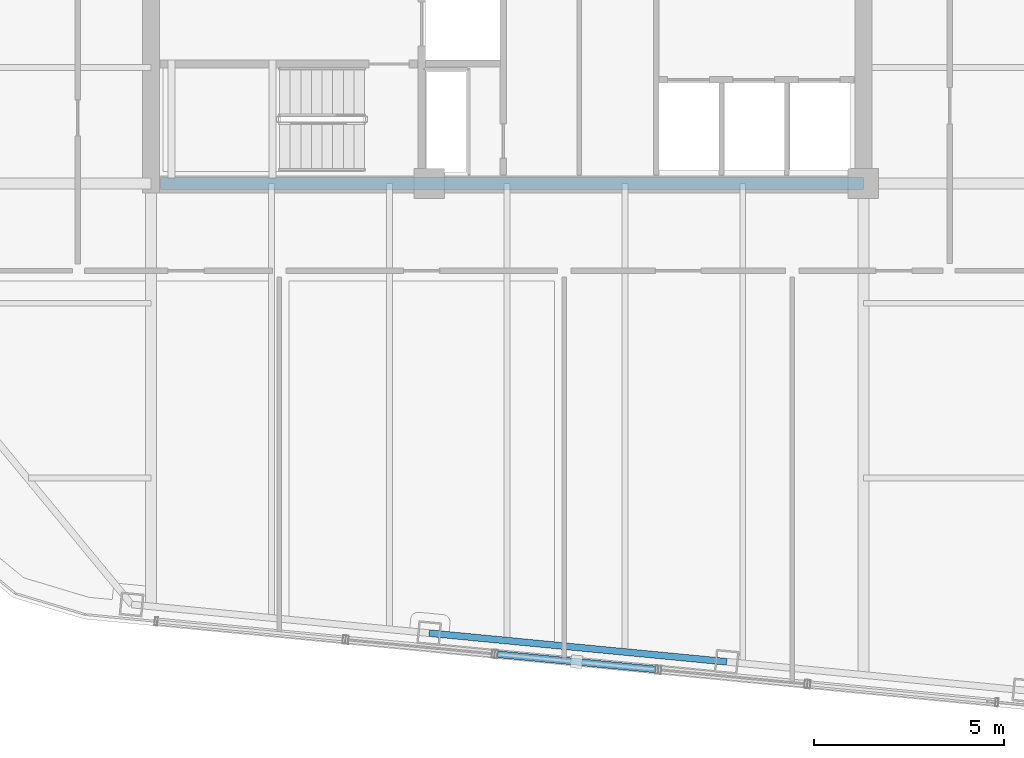
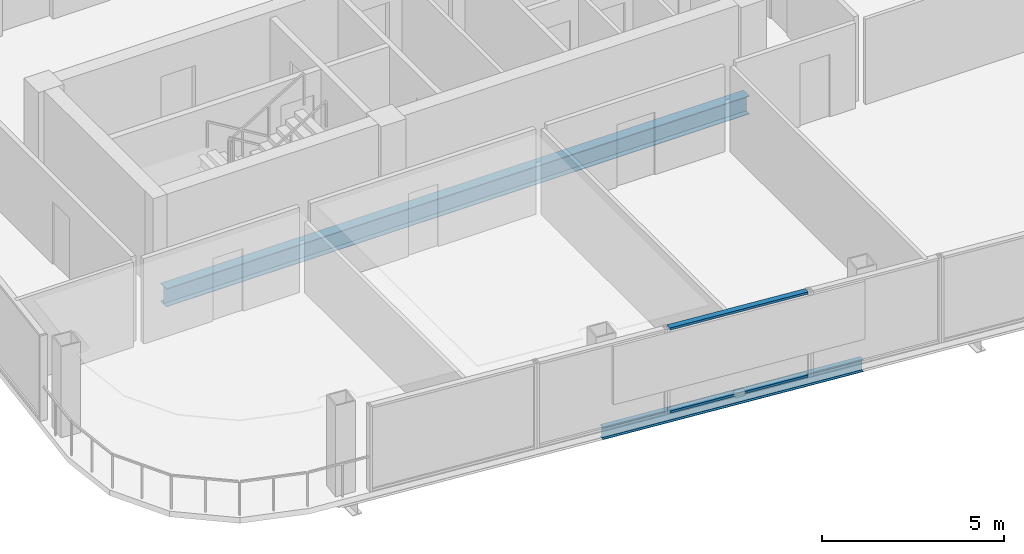
# One storey, part 4 of 23: 2 beams, 2 members, 1 element without a shape of its own.
"""IFC4 building model written with IfcOpenShell, lengths in metres."""

from ifc_helpers import new_model, si_unit, direction, frame, origin, origin_2d, place, context, subcontext, project, spatial, hollow_rectangle, i_section, extrude, material, layer, layer_set, material_profile, profile_set, type_object, element, aggregate, save


model = new_model("IFC4")

# Units and contexts
model_context = context("Model", 3, precision=1e-05, world=origin(), true_north=direction((0.0, 1.0)))
body_context = subcontext(model_context, "Body", "Model", "MODEL_VIEW")
ifc_project = project(units=[si_unit("LENGTHUNIT", "METRE"), si_unit("AREAUNIT", "SQUARE_METRE"), si_unit("VOLUMEUNIT", "CUBIC_METRE"), si_unit("PLANEANGLEUNIT", "RADIAN"), si_unit("MASSUNIT", "GRAM", prefix="KILO")], contexts=[model_context])

# Site, building, storey
site_placement = place(None, origin())
site = spatial("IfcSite", under=ifc_project, at=site_placement, CompositionType="ELEMENT")
building_placement = place(site_placement, origin())
building = spatial("IfcBuilding", under=site, at=building_placement, Name="Qhalaya Broadcast Tower", CompositionType="ELEMENT")
storey_placement = place(building_placement, frame((0.0, 0.0, 264.199951171875)))
storey = spatial("IfcBuildingStorey", under=building, at=storey_placement, Name="L78", CompositionType="ELEMENT", Elevation=264.199951171875)

# Beam
ifc_material_1 = material(Name="Structural Steel ASTM A992 Grade 50", Category="steel")
ifc_material_profile_1 = material_profile(ifc_material_1, i_section(OverallWidth=0.323974609375, OverallDepth=0.612060546875, WebThickness=0.0126953125, FlangeThickness=0.01904296875, at=origin_2d()), Name="W24X104")
ifc_profile_set_1 = profile_set([ifc_material_profile_1], Name="Structural Steel ASTM A992 Grade 50")
beam_type_1 = type_object("IfcBeamType", Name="Core Frame Tie Beam B04", PredefinedType="BEAM", material=ifc_profile_set_1)
beam_1_placement = place(storey_placement, frame((-9.1201171875, -8.75, -0.495849609375), z_axis=(1.0, 0.0, 0.0), x_axis=(0.0, 1.0, 0.0)))
element("IfcBeam", 1, at=beam_1_placement, inside=storey, type_object=beam_type_1, Name="L78 B04 L78-CCS3", PredefinedType="BEAM", context=body_context, shape_type="SweptSolid", body=[
    extrude(i_section(OverallWidth=0.323974609375, OverallDepth=0.612060546875, WebThickness=0.0126953125, FlangeThickness=0.01904296875, at=origin_2d()), origin(), (0.0, 0.0, 1.0), 18.4951171875),
])

# Curtain wall, members
ifc_material_2 = material(Name="Fired Architectural Terracotta", Category="masonry")
ifc_layer = layer(ifc_material_2, 0.219970703125, Name="Fired Architectural Terracotta")
ifc_layer_set = layer_set([ifc_layer], Name="Fired Architectural Terracotta")
curtain_wall_type = type_object("IfcCurtainWallType", Name="Block-Cap Unitised Terracotta Spandrel Wall CW-07", PredefinedType="NOTDEFINED", material=ifc_layer_set)
curtain_wall_placement = place(storey_placement, origin())
curtain_wall = element("IfcCurtainWall", 2, at=curtain_wall_placement, inside=storey, type_object=curtain_wall_type, Name="L78 Unitised Curtain Wall L78-CW-S3", PredefinedType="NOTDEFINED")
ifc_material_3 = material(Name="Anodised Aluminium 6063-T6", Category="aluminium")
ifc_material_profile_2 = material_profile(ifc_material_3, hollow_rectangle(XDim=0.074951171875, YDim=0.179931640625, WallThickness=0.00390625, at=origin_2d()), Name="ALU-TRN 75x180x4")
ifc_profile_set_2 = profile_set([ifc_material_profile_2], Name="Anodised Aluminium 6063-T6")
member_type = type_object("IfcMemberType", Name="Unitised Curtain-Wall Transom T01", PredefinedType="USERDEFINED", material=ifc_profile_set_2)
member_1_placement = place(storey_placement, frame((-0.251220703125, -21.1376953125, 0.03759765625), z_axis=(0.995399808242, -0.095808255136, 0.0), x_axis=(0.0, 0.0, 1.0)))
member_1 = element("IfcMember", 3, at=member_1_placement, type_object=member_type, Name="CW-07 transom 1.1", ObjectType="TRANSOM", PredefinedType="USERDEFINED", context=body_context, shape_type="SweptSolid", body=[
    extrude(hollow_rectangle(XDim=0.074951171875, YDim=0.179931640625, WallThickness=0.00390625, at=origin_2d()), origin(), (0.0, 0.0, 1.0), 4.174072265625),
])
member_2_placement = place(storey_placement, frame((-0.251220703125, -21.1376953125, 2.822509765625), z_axis=(0.995399808242, -0.095808255136, 0.0), x_axis=(0.0, 0.0, 1.0)))
member_2 = element("IfcMember", 4, at=member_2_placement, type_object=member_type, Name="CW-07 transom 1.2", ObjectType="TRANSOM", PredefinedType="USERDEFINED", context=body_context, shape_type="SweptSolid", body=[
    extrude(hollow_rectangle(XDim=0.074951171875, YDim=0.179931640625, WallThickness=0.00390625, at=origin_2d()), origin(), (0.0, 0.0, 1.0), 4.174072265625),
])
aggregate(curtain_wall, [member_1, member_2])

# Beam
ifc_material_profile_3 = material_profile(ifc_material_1, i_section(OverallWidth=0.177978515625, OverallDepth=0.406005859375, WebThickness=0.0078125, FlangeThickness=0.0126953125, at=origin_2d()), Name="W16X40")
ifc_profile_set_3 = profile_set([ifc_material_profile_3], Name="Structural Steel ASTM A992 Grade 50")
beam_type_2 = type_object("IfcBeamType", Name="Upper Perimeter Spandrel Beam SP2", PredefinedType="SPANDREL", material=ifc_profile_set_3)
beam_2_placement = place(storey_placement, frame((-2.052490234375, -20.58251953125, -0.39306640625), z_axis=(0.995397023367, -0.095837184179, 0.0), x_axis=(0.095837184179, 0.995397023367, 0.0)))
element("IfcBeam", 5, at=beam_2_placement, inside=storey, type_object=beam_type_2, Name="L78 SP2 L78-SPR-02", PredefinedType="SPANDREL", context=body_context, shape_type="SweptSolid", body=[
    extrude(i_section(OverallWidth=0.177978515625, OverallDepth=0.406005859375, WebThickness=0.0078125, FlangeThickness=0.0126953125, at=origin_2d()), origin(), (0.0, 0.0, 1.0), 7.866455078125),
])

save(model, "model.ifc")
